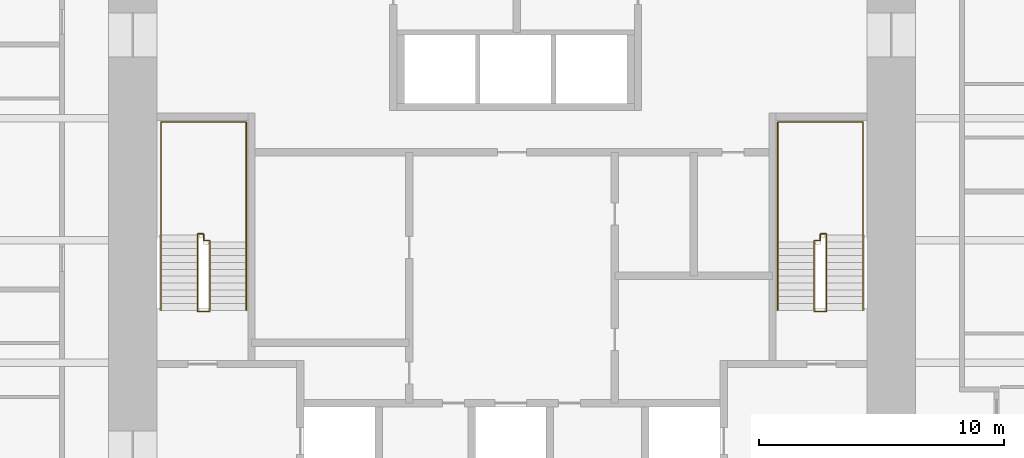
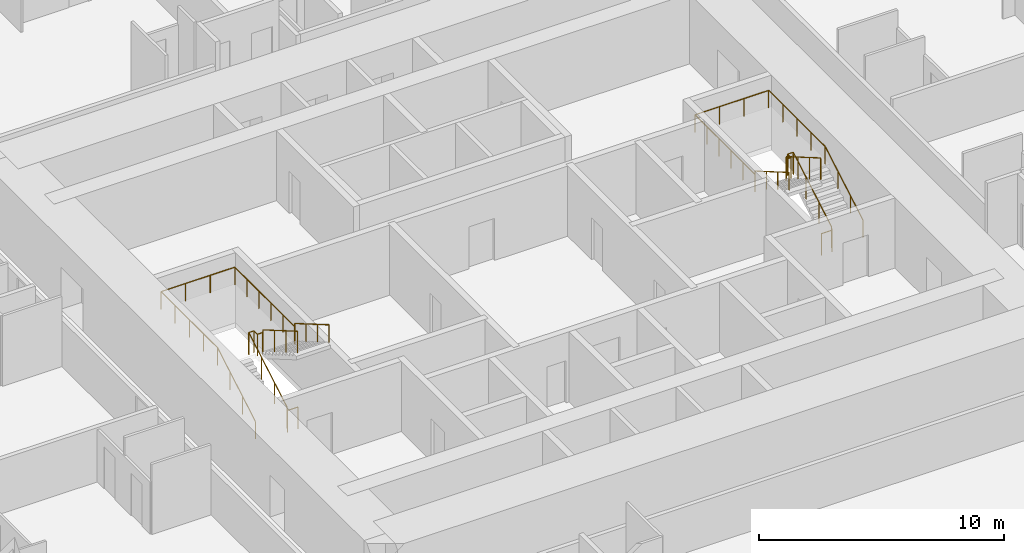
# One storey, part 17 of 17: 4 railings.
"""IFC4 building model written with IfcOpenShell, lengths in metres."""

import ifcopenshell
import ifcopenshell.guid

model = None  # the IFC model being written
_history = None  # IfcOwnerHistory: only IFC2X3 demands one
_inside = {}  # id of a spatial element -> (the spatial element, [elements in it])
_under = {}  # id of a project, library or spatial element -> (it, [spatial elements below it])
_declared = {}  # id of a project -> (the project, [libraries it declares])
_typed = {}  # id of a type object -> (the type object, [elements of that type])
_made_of = {}  # id of a material, layer set ... -> (it, [elements and type objects made of it])


def new_model(schema):
    """Start an empty IFC model of exactly this schema.

    Asked for "IFC4X3", IfcOpenShell would pick the latest addendum, in which some entities
    have other attributes; the version numbers below select the first issue.
    IFC2X3 requires an IfcOwnerHistory on every rooted entity: one is made here for all.
    """
    global model, _history
    if schema == "IFC4X3":
        model = ifcopenshell.file(schema_version=(4, 3, 0, 0))
    else:
        model = ifcopenshell.file(schema=schema)
    _inside.clear()
    _under.clear()
    _declared.clear()
    _typed.clear()
    _made_of.clear()
    _history = None
    if model.schema == "IFC2X3":
        org = make("IfcOrganization", Name="unknown")
        user = make(
            "IfcPersonAndOrganization",
            ThePerson=make("IfcPerson", FamilyName="unknown"),
            TheOrganization=org,
        )
        app = make(
            "IfcApplication",
            ApplicationDeveloper=org,
            Version="unknown",
            ApplicationFullName="unknown",
            ApplicationIdentifier="unknown",
        )
        _history = make(
            "IfcOwnerHistory",
            OwningUser=user,
            OwningApplication=app,
            ChangeAction="ADDED",
            CreationDate=0,
        )
    return model


def make(cls, **values):
    """One entity of the class cls with the attributes given. An attribute that is None is left unset."""
    return model.create_entity(
        cls, **{name: value for name, value in values.items() if value is not None}
    )


def rooted(cls, **values):
    """An entity with a GlobalId (a new one), such as an element, a storey or a relation."""
    return make(cls, GlobalId=ifcopenshell.guid.new(), OwnerHistory=_history, **values)


def si_unit(unit_type, name, prefix=None):
    """IfcSIUnit, for example si_unit("LENGTHUNIT", "METRE", prefix="MILLI")."""
    return make("IfcSIUnit", UnitType=unit_type, Prefix=prefix, Name=name)


def assignment(units):
    """IfcUnitAssignment: the units of a project."""
    return None if units is None else make("IfcUnitAssignment", Units=units)


def point(xyz):
    """IfcCartesianPoint."""
    return None if xyz is None else make("IfcCartesianPoint", Coordinates=xyz)


def direction(xyz):
    """IfcDirection."""
    return None if xyz is None else make("IfcDirection", DirectionRatios=xyz)


def frame(location, z_axis=None, x_axis=None):
    """IfcAxis2Placement3D, a coordinate frame: its origin and axes. An axis left out is left unset."""
    return make(
        "IfcAxis2Placement3D",
        Location=point(location),
        Axis=direction(z_axis),
        RefDirection=direction(x_axis),
    )


def frame_2d(location, x_axis=None):
    """IfcAxis2Placement2D, a coordinate frame in the plane: its origin and x axis."""
    return make(
        "IfcAxis2Placement2D", Location=point(location), RefDirection=direction(x_axis)
    )


def origin():
    """The frame at (0, 0, 0) with its axes left unset."""
    return frame((0.0, 0.0, 0.0))


def origin_2d():
    """The frame at (0, 0) in the plane with its x axis left unset."""
    return frame_2d((0.0, 0.0))


def place(relative_to, where):
    """IfcLocalPlacement: puts the frame where relative to a parent placement (None: the world)."""
    return make(
        "IfcLocalPlacement", PlacementRelTo=relative_to, RelativePlacement=where
    )


def context(
    kind, dimensions, precision=None, world=None, true_north=None, identifier=None
):
    """IfcGeometricRepresentationContext, for example the 3D "Model" context."""
    return make(
        "IfcGeometricRepresentationContext",
        ContextIdentifier=identifier,
        ContextType=kind,
        CoordinateSpaceDimension=dimensions,
        Precision=precision,
        WorldCoordinateSystem=world,
        TrueNorth=true_north,
    )


def subcontext(parent, identifier, kind, view, scale=None):
    """IfcGeometricRepresentationSubContext, for example "Body" below "Model"."""
    return make(
        "IfcGeometricRepresentationSubContext",
        ContextIdentifier=identifier,
        ContextType=kind,
        ParentContext=parent,
        TargetScale=scale,
        TargetView=view,
    )


def project(units=None, contexts=None):
    """IfcProject with its units and contexts."""
    return rooted(
        "IfcProject",
        Name="project",
        RepresentationContexts=contexts,
        UnitsInContext=assignment(units),
    )


def spatial(cls, under=None, at=None, **own):
    """A site, building, storey or space (cls), placed at a placement, below another one or the project."""
    s = rooted(cls, ObjectPlacement=at, **own)
    if under is not None:
        _under.setdefault(under.id(), (under, []))[1].append(s)
    return s


def profile(cls, at=None, kind="AREA", **sizes):
    """A parametric profile (cls). Its sizes go by their IFC names, for example OverallWidth=200.0."""
    return make(cls, ProfileType=kind, Position=at, **sizes)


def circle(**sizes):
    """IfcCircleProfileDef."""
    return profile("IfcCircleProfileDef", **sizes)


def extrude(swept, where, along, depth):
    """IfcExtrudedAreaSolid: the profile swept, set in the frame where, extruded along a direction by depth."""
    return make(
        "IfcExtrudedAreaSolid",
        SweptArea=swept,
        Position=where,
        ExtrudedDirection=direction(along),
        Depth=depth,
    )


def shape(context_of_items, identifier, shape_type, items):
    """IfcShapeRepresentation: the items that make up one representation, for example the "Body"."""
    return make(
        "IfcShapeRepresentation",
        ContextOfItems=context_of_items,
        RepresentationIdentifier=identifier,
        RepresentationType=shape_type,
        Items=items,
    )


def material(Name=None, Category=None):
    """IfcMaterial."""
    return make("IfcMaterial", Name=Name, Category=Category)


def made_of(thing, what):
    """Note that an element or type object is made of a material, layer set ...; save() writes the relation."""
    if what is not None:
        _made_of.setdefault(what.id(), (what, []))[1].append(thing)
    return thing


def type_object(cls, material=None, **own):
    """A type object (cls), such as IfcWallType, which elements share."""
    return made_of(rooted(cls, **own), material)


def element(
    cls,
    number,
    at=None,
    inside=None,
    cuts=None,
    type_object=None,
    material=None,
    context=None,
    identifier="Body",
    shape_type=None,
    held_by="IfcProductDefinitionShape",
    body=None,
    shapes=None,
    **own,
):
    """One element of the class cls, such as IfcWall. Its Tag is "e" and its number.

    at: its placement. inside: the storey or other place that contains it. cuts: it is an
    opening in that element (IfcRelVoidsElement). A single representation is given by context,
    identifier, shape_type and body (its items); several are given by shapes. held_by: the class
    of the entity that holds the representations. save() writes the other relations.
    """
    e = rooted(cls, Tag="e%d" % number, ObjectPlacement=at, **own)
    if body is not None:
        shapes = [shape(context, identifier, shape_type, body)]
    if shapes is not None:
        e.Representation = make(held_by, Representations=shapes)
    if inside is not None:
        _inside.setdefault(inside.id(), (inside, []))[1].append(e)
    if cuts is not None:
        rooted(
            "IfcRelVoidsElement", RelatingBuildingElement=cuts, RelatedOpeningElement=e
        )
    if type_object is not None:
        _typed.setdefault(type_object.id(), (type_object, []))[1].append(e)
    return made_of(e, material)


def aggregate(whole, parts):
    """IfcRelAggregates: a whole, such as a stair, and the parts it consists of."""
    return rooted("IfcRelAggregates", RelatingObject=whole, RelatedObjects=parts)


def save(model, path):
    """Write the relations noted so far, then the file.

    IfcRelAggregates (storeys below a building ...), IfcRelContainedInSpatialStructure (elements
    in a storey), IfcRelDefinesByType, IfcRelAssociatesMaterial and IfcRelDeclares: one each for
    every whole, place, type object, material and project.
    """
    for whole, parts in _under.values():
        aggregate(whole, parts)
    for where, things in _inside.values():
        rooted(
            "IfcRelContainedInSpatialStructure",
            RelatedElements=things,
            RelatingStructure=where,
        )
    for kind, things in _typed.values():
        rooted("IfcRelDefinesByType", RelatedObjects=things, RelatingType=kind)
    for what, things in _made_of.values():
        rooted("IfcRelAssociatesMaterial", RelatedObjects=things, RelatingMaterial=what)
    for by, libraries in _declared.values():
        rooted("IfcRelDeclares", RelatingContext=by, RelatedDefinitions=libraries)
    model.write(path)


model = new_model("IFC4")

# Units and contexts
model_context = context("Model", 3, precision=1e-05, world=origin(), true_north=direction((0.0, 1.0)))
body_context = subcontext(model_context, "Body", "Model", "MODEL_VIEW")
ifc_project = project(units=[si_unit("LENGTHUNIT", "METRE"), si_unit("AREAUNIT", "SQUARE_METRE"), si_unit("VOLUMEUNIT", "CUBIC_METRE"), si_unit("PLANEANGLEUNIT", "RADIAN"), si_unit("MASSUNIT", "GRAM", prefix="KILO")], contexts=[model_context])

# Site, building, storey
site_placement = place(None, origin())
site = spatial("IfcSite", under=ifc_project, at=site_placement, CompositionType="ELEMENT")
building_placement = place(site_placement, origin())
building = spatial("IfcBuilding", under=site, at=building_placement, Name="Khuree Lantern Residences", CompositionType="ELEMENT")
storey_placement = place(building_placement, frame((0.0, 0.0, 47.25)))
storey = spatial("IfcBuildingStorey", under=building, at=storey_placement, Name="L11", CompositionType="ELEMENT", Elevation=47.25)

# Railings
ifc_material = material(Name="Steel S355", Category="steel")
railing_type_1 = type_object("IfcRailingType", Name="STAIR GUARD G1 1100", PredefinedType="GUARDRAIL", material=ifc_material)
railing_1_placement = place(storey_placement, frame((-12.35009765625, -2.909912109375, 0.0)))
element("IfcRailing", 1, at=railing_1_placement, inside=storey, type_object=railing_type_1, Name="Stair ST1 guard", PredefinedType="GUARDRAIL", context=body_context, shape_type="SweptSolid", body=[
    extrude(circle(Radius=0.02392578125, at=origin_2d()), frame((0.0, 0.0, 1.076171875), z_axis=(-1.0, 0.0, 0.0), x_axis=(0.0, -1.0, 0.0)), (0.0, 0.0, 1.0), 0.5),
    extrude(circle(Radius=0.02392578125, at=origin_2d()), frame((-0.5, 0.0, 1.076171875), z_axis=(0.0, 0.292073035251, 0.95639601739), x_axis=(-1.0, 0.0, 0.0)), (0.0, 0.0, 1.0), 0.17041015625),
    extrude(circle(Radius=0.02392578125, at=origin_2d()), frame((-0.5, 0.0498046875, 1.2392578125), z_axis=(0.0, 0.864176135923, 0.503189433615), x_axis=(-1.0, 0.0, 0.0)), (0.0, 0.0, 1.0), 3.564208984375),
    extrude(circle(Radius=0.02392578125, at=origin_2d()), frame((-0.5, 3.1298828125, 3.03271484375), z_axis=(0.0, 1.0, 0.0), x_axis=(-1.0, 0.0, 0.0)), (0.0, 0.0, 1.0), 0.050048828125),
    extrude(circle(Radius=0.02392578125, at=origin_2d()), frame((-0.5, 3.179931640625, 3.03271484375), z_axis=(1.0, 0.0, 0.0), x_axis=(0.0, 1.0, 0.0)), (0.0, 0.0, 1.0), 0.25),
    extrude(circle(Radius=0.02392578125, at=origin_2d()), frame((-0.25, 3.179931640625, 3.03271484375), z_axis=(0.0, -1.0, 0.0), x_axis=(1.0, 0.0, 0.0)), (0.0, 0.0, 1.0), 0.280029296875),
    extrude(circle(Radius=0.02392578125, at=origin_2d()), frame((-0.25, 2.89990234375, 3.03271484375), z_axis=(1.0, 0.0, 0.0), x_axis=(0.0, 1.0, 0.0)), (0.0, 0.0, 1.0), 0.25),
    extrude(circle(Radius=0.02392578125, at=origin_2d()), frame((0.0, 2.89990234375, 3.03271484375), z_axis=(0.0, -0.293381807449, 0.955995353053), x_axis=(1.0, 0.0, 0.0)), (0.0, 0.0, 1.0), 0.170654296875),
    extrude(circle(Radius=0.02392578125, at=origin_2d()), frame((0.0, 2.849853515625, 3.19580078125), z_axis=(0.0, -0.864180358799, 0.503182181189), x_axis=(1.0, 0.0, 0.0)), (0.0, 0.0, 1.0), 3.240234375),
    extrude(circle(Radius=0.02099609375, at=origin_2d()), origin(), (0.0, 0.0, 1.0), 1.052001953125),
    extrude(circle(Radius=0.02099609375, at=origin_2d()), frame((-0.5, 0.0, 0.0)), (0.0, 0.0, 1.0), 1.052001953125),
    extrude(circle(Radius=0.02099609375, at=origin_2d()), frame((-0.5, 0.0498046875, 0.1630859375)), (0.0, 0.0, 1.0), 1.052001953125),
    extrude(circle(Radius=0.02099609375, at=origin_2d()), frame((-0.5, 1.076416015625, 0.760986328125)), (0.0, 0.0, 1.0), 1.052001953125),
    extrude(circle(Radius=0.02099609375, at=origin_2d()), frame((-0.5, 2.103271484375, 1.358642578125)), (0.0, 0.0, 1.0), 1.052001953125),
    extrude(circle(Radius=0.02099609375, at=origin_2d()), frame((-0.5, 3.1298828125, 1.95654296875)), (0.0, 0.0, 1.0), 1.052001953125),
    extrude(circle(Radius=0.02099609375, at=origin_2d()), frame((-0.5, 3.179931640625, 1.95654296875)), (0.0, 0.0, 1.0), 1.052001953125),
    extrude(circle(Radius=0.02099609375, at=origin_2d()), frame((-0.25, 3.179931640625, 1.95654296875)), (0.0, 0.0, 1.0), 1.052001953125),
    extrude(circle(Radius=0.02099609375, at=origin_2d()), frame((-0.25, 2.89990234375, 1.95654296875)), (0.0, 0.0, 1.0), 1.052001953125),
    extrude(circle(Radius=0.02099609375, at=origin_2d()), frame((0.0, 2.89990234375, 1.95654296875)), (0.0, 0.0, 1.0), 1.052001953125),
    extrude(circle(Radius=0.02099609375, at=origin_2d()), frame((0.0, 2.849853515625, 2.11962890625)), (0.0, 0.0, 1.0), 1.052001953125),
    extrude(circle(Radius=0.02099609375, at=origin_2d()), frame((0.0, 1.91650390625, 2.6630859375)), (0.0, 0.0, 1.0), 1.052001953125),
    extrude(circle(Radius=0.02099609375, at=origin_2d()), frame((0.0, 0.983154296875, 3.20654296875)), (0.0, 0.0, 1.0), 1.052001953125),
    extrude(circle(Radius=0.02099609375, at=origin_2d()), frame((0.0, 0.0498046875, 3.75)), (0.0, 0.0, 1.0), 1.052001953125),
])
railing_2_placement = place(storey_placement, frame((12.35009765625, -2.909912109375, 0.0)))
element("IfcRailing", 2, at=railing_2_placement, inside=storey, type_object=railing_type_1, Name="Stair ST2 guard", PredefinedType="GUARDRAIL", context=body_context, shape_type="SweptSolid", body=[
    extrude(circle(Radius=0.02392578125, at=origin_2d()), frame((0.0, 0.0, 1.076171875), z_axis=(1.0, 0.0, 0.0), x_axis=(0.0, 1.0, 0.0)), (0.0, 0.0, 1.0), 0.5),
    extrude(circle(Radius=0.02392578125, at=origin_2d()), frame((0.5, 0.0, 1.076171875), z_axis=(0.0, 0.292073035251, 0.95639601739), x_axis=(-1.0, 0.0, 0.0)), (0.0, 0.0, 1.0), 0.17041015625),
    extrude(circle(Radius=0.02392578125, at=origin_2d()), frame((0.5, 0.0498046875, 1.2392578125), z_axis=(0.0, 0.864176135923, 0.503189433615), x_axis=(-1.0, 0.0, 0.0)), (0.0, 0.0, 1.0), 3.564208984375),
    extrude(circle(Radius=0.02392578125, at=origin_2d()), frame((0.5, 3.1298828125, 3.03271484375), z_axis=(0.0, 1.0, 0.0), x_axis=(-1.0, 0.0, 0.0)), (0.0, 0.0, 1.0), 0.050048828125),
    extrude(circle(Radius=0.02392578125, at=origin_2d()), frame((0.5, 3.179931640625, 3.03271484375), z_axis=(-1.0, 0.0, 0.0), x_axis=(0.0, -1.0, 0.0)), (0.0, 0.0, 1.0), 0.25),
    extrude(circle(Radius=0.02392578125, at=origin_2d()), frame((0.25, 3.179931640625, 3.03271484375), z_axis=(0.0, -1.0, 0.0), x_axis=(1.0, 0.0, 0.0)), (0.0, 0.0, 1.0), 0.280029296875),
    extrude(circle(Radius=0.02392578125, at=origin_2d()), frame((0.25, 2.89990234375, 3.03271484375), z_axis=(-1.0, 0.0, 0.0), x_axis=(0.0, -1.0, 0.0)), (0.0, 0.0, 1.0), 0.25),
    extrude(circle(Radius=0.02392578125, at=origin_2d()), frame((0.0, 2.89990234375, 3.03271484375), z_axis=(0.0, -0.293381807449, 0.955995353053), x_axis=(1.0, 0.0, 0.0)), (0.0, 0.0, 1.0), 0.170654296875),
    extrude(circle(Radius=0.02392578125, at=origin_2d()), frame((0.0, 2.849853515625, 3.19580078125), z_axis=(0.0, -0.864180358799, 0.503182181189), x_axis=(1.0, 0.0, 0.0)), (0.0, 0.0, 1.0), 3.240234375),
    extrude(circle(Radius=0.02099609375, at=origin_2d()), origin(), (0.0, 0.0, 1.0), 1.052001953125),
    extrude(circle(Radius=0.02099609375, at=origin_2d()), frame((0.5, 0.0, 0.0)), (0.0, 0.0, 1.0), 1.052001953125),
    extrude(circle(Radius=0.02099609375, at=origin_2d()), frame((0.5, 0.0498046875, 0.1630859375)), (0.0, 0.0, 1.0), 1.052001953125),
    extrude(circle(Radius=0.02099609375, at=origin_2d()), frame((0.5, 1.076416015625, 0.760986328125)), (0.0, 0.0, 1.0), 1.052001953125),
    extrude(circle(Radius=0.02099609375, at=origin_2d()), frame((0.5, 2.103271484375, 1.358642578125)), (0.0, 0.0, 1.0), 1.052001953125),
    extrude(circle(Radius=0.02099609375, at=origin_2d()), frame((0.5, 3.1298828125, 1.95654296875)), (0.0, 0.0, 1.0), 1.052001953125),
    extrude(circle(Radius=0.02099609375, at=origin_2d()), frame((0.5, 3.179931640625, 1.95654296875)), (0.0, 0.0, 1.0), 1.052001953125),
    extrude(circle(Radius=0.02099609375, at=origin_2d()), frame((0.25, 3.179931640625, 1.95654296875)), (0.0, 0.0, 1.0), 1.052001953125),
    extrude(circle(Radius=0.02099609375, at=origin_2d()), frame((0.25, 2.89990234375, 1.95654296875)), (0.0, 0.0, 1.0), 1.052001953125),
    extrude(circle(Radius=0.02099609375, at=origin_2d()), frame((0.0, 2.89990234375, 1.95654296875)), (0.0, 0.0, 1.0), 1.052001953125),
    extrude(circle(Radius=0.02099609375, at=origin_2d()), frame((0.0, 2.849853515625, 2.11962890625)), (0.0, 0.0, 1.0), 1.052001953125),
    extrude(circle(Radius=0.02099609375, at=origin_2d()), frame((0.0, 1.91650390625, 2.6630859375)), (0.0, 0.0, 1.0), 1.052001953125),
    extrude(circle(Radius=0.02099609375, at=origin_2d()), frame((0.0, 0.983154296875, 3.20654296875)), (0.0, 0.0, 1.0), 1.052001953125),
    extrude(circle(Radius=0.02099609375, at=origin_2d()), frame((0.0, 0.0498046875, 3.75)), (0.0, 0.0, 1.0), 1.052001953125),
])
railing_type_2 = type_object("IfcRailingType", Name="STAIR HANDRAIL H1 900", PredefinedType="HANDRAIL", material=ifc_material)
railing_3_placement = place(storey_placement, frame((-14.340087890625, -2.860107421875, 0.1630859375)))
element("IfcRailing", 3, at=railing_3_placement, inside=storey, type_object=railing_type_2, Name="Stair ST1 handrail", PredefinedType="HANDRAIL", context=body_context, shape_type="SweptSolid", body=[
    extrude(circle(Radius=0.02392578125, at=origin_2d()), frame((0.0, 0.0, 0.8759765625), z_axis=(0.0, 0.864176135923, 0.503189433615), x_axis=(-1.0, 0.0, 0.0)), (0.0, 0.0, 1.0), 3.564208984375),
    extrude(circle(Radius=0.02392578125, at=origin_2d()), frame((0.0, 3.080078125, 2.66943359375), z_axis=(0.0, 1.0, 0.0), x_axis=(-1.0, 0.0, 0.0)), (0.0, 0.0, 1.0), 4.6201171875),
    extrude(circle(Radius=0.02392578125, at=origin_2d()), frame((0.0, 7.7001953125, 2.66943359375), z_axis=(1.0, 0.0, 0.0), x_axis=(0.0, 1.0, 0.0)), (0.0, 0.0, 1.0), 3.47998046875),
    extrude(circle(Radius=0.02392578125, at=origin_2d()), frame((3.47998046875, 7.7001953125, 2.66943359375), z_axis=(0.0, -1.0, 0.0), x_axis=(1.0, 0.0, 0.0)), (0.0, 0.0, 1.0), 4.900146484375),
    extrude(circle(Radius=0.02392578125, at=origin_2d()), frame((3.47998046875, 2.800048828125, 2.66943359375), z_axis=(0.0, 0.0, 1.0), x_axis=(1.0, 0.0, 0.0)), (0.0, 0.0, 1.0), 0.1630859375),
    extrude(circle(Radius=0.02392578125, at=origin_2d()), frame((3.47998046875, 2.800048828125, 2.83251953125), z_axis=(0.0, -0.864180358799, 0.503182181189), x_axis=(1.0, 0.0, 0.0)), (0.0, 0.0, 1.0), 3.240234375),
    extrude(circle(Radius=0.02099609375, at=origin_2d()), origin(), (0.0, 0.0, 1.0), 0.851806640625),
    extrude(circle(Radius=0.02099609375, at=origin_2d()), frame((0.0, 1.026611328125, 0.597900390625)), (0.0, 0.0, 1.0), 0.851806640625),
    extrude(circle(Radius=0.02099609375, at=origin_2d()), frame((0.0, 2.053466796875, 1.195556640625)), (0.0, 0.0, 1.0), 0.851806640625),
    extrude(circle(Radius=0.02099609375, at=origin_2d()), frame((0.0, 3.080078125, 1.79345703125)), (0.0, 0.0, 1.0), 0.851806640625),
    extrude(circle(Radius=0.02099609375, at=origin_2d()), frame((0.0, 4.235107421875, 1.79345703125)), (0.0, 0.0, 1.0), 0.851806640625),
    extrude(circle(Radius=0.02099609375, at=origin_2d()), frame((0.0, 5.39013671875, 1.79345703125)), (0.0, 0.0, 1.0), 0.851806640625),
    extrude(circle(Radius=0.02099609375, at=origin_2d()), frame((0.0, 6.545166015625, 1.79345703125)), (0.0, 0.0, 1.0), 0.851806640625),
    extrude(circle(Radius=0.02099609375, at=origin_2d()), frame((0.0, 7.7001953125, 1.79345703125)), (0.0, 0.0, 1.0), 0.851806640625),
    extrude(circle(Radius=0.02099609375, at=origin_2d()), frame((1.159912109375, 7.7001953125, 1.79345703125)), (0.0, 0.0, 1.0), 0.851806640625),
    extrude(circle(Radius=0.02099609375, at=origin_2d()), frame((2.320068359375, 7.7001953125, 1.79345703125)), (0.0, 0.0, 1.0), 0.851806640625),
    extrude(circle(Radius=0.02099609375, at=origin_2d()), frame((3.47998046875, 7.7001953125, 1.79345703125)), (0.0, 0.0, 1.0), 0.851806640625),
    extrude(circle(Radius=0.02099609375, at=origin_2d()), frame((3.47998046875, 6.72021484375, 1.79345703125)), (0.0, 0.0, 1.0), 0.851806640625),
    extrude(circle(Radius=0.02099609375, at=origin_2d()), frame((3.47998046875, 5.740234375, 1.79345703125)), (0.0, 0.0, 1.0), 0.851806640625),
    extrude(circle(Radius=0.02099609375, at=origin_2d()), frame((3.47998046875, 4.760009765625, 1.79345703125)), (0.0, 0.0, 1.0), 0.851806640625),
    extrude(circle(Radius=0.02099609375, at=origin_2d()), frame((3.47998046875, 3.780029296875, 1.79345703125)), (0.0, 0.0, 1.0), 0.851806640625),
    extrude(circle(Radius=0.02099609375, at=origin_2d()), frame((3.47998046875, 2.800048828125, 1.79345703125)), (0.0, 0.0, 1.0), 0.851806640625),
    extrude(circle(Radius=0.02099609375, at=origin_2d()), frame((3.47998046875, 2.800048828125, 1.95654296875)), (0.0, 0.0, 1.0), 0.851806640625),
    extrude(circle(Radius=0.02099609375, at=origin_2d()), frame((3.47998046875, 1.86669921875, 2.5)), (0.0, 0.0, 1.0), 0.851806640625),
    extrude(circle(Radius=0.02099609375, at=origin_2d()), frame((3.47998046875, 0.933349609375, 3.04345703125)), (0.0, 0.0, 1.0), 0.851806640625),
    extrude(circle(Radius=0.02099609375, at=origin_2d()), frame((3.47998046875, 0.0, 3.5869140625)), (0.0, 0.0, 1.0), 0.851806640625),
])
railing_4_placement = place(storey_placement, frame((14.340087890625, -2.860107421875, 0.1630859375)))
element("IfcRailing", 4, at=railing_4_placement, inside=storey, type_object=railing_type_2, Name="Stair ST2 handrail", PredefinedType="HANDRAIL", context=body_context, shape_type="SweptSolid", body=[
    extrude(circle(Radius=0.02392578125, at=origin_2d()), frame((0.0, 0.0, 0.8759765625), z_axis=(0.0, 0.864176135923, 0.503189433615), x_axis=(-1.0, 0.0, 0.0)), (0.0, 0.0, 1.0), 3.564208984375),
    extrude(circle(Radius=0.02392578125, at=origin_2d()), frame((0.0, 3.080078125, 2.66943359375), z_axis=(0.0, 1.0, 0.0), x_axis=(-1.0, 0.0, 0.0)), (0.0, 0.0, 1.0), 4.6201171875),
    extrude(circle(Radius=0.02392578125, at=origin_2d()), frame((0.0, 7.7001953125, 2.66943359375), z_axis=(-1.0, 0.0, 0.0), x_axis=(0.0, -1.0, 0.0)), (0.0, 0.0, 1.0), 3.47998046875),
    extrude(circle(Radius=0.02392578125, at=origin_2d()), frame((-3.47998046875, 7.7001953125, 2.66943359375), z_axis=(0.0, -1.0, 0.0), x_axis=(1.0, 0.0, 0.0)), (0.0, 0.0, 1.0), 4.900146484375),
    extrude(circle(Radius=0.02392578125, at=origin_2d()), frame((-3.47998046875, 2.800048828125, 2.66943359375), z_axis=(0.0, 0.0, 1.0), x_axis=(1.0, 0.0, 0.0)), (0.0, 0.0, 1.0), 0.1630859375),
    extrude(circle(Radius=0.02392578125, at=origin_2d()), frame((-3.47998046875, 2.800048828125, 2.83251953125), z_axis=(0.0, -0.864180358799, 0.503182181189), x_axis=(1.0, 0.0, 0.0)), (0.0, 0.0, 1.0), 3.240234375),
    extrude(circle(Radius=0.02099609375, at=origin_2d()), origin(), (0.0, 0.0, 1.0), 0.851806640625),
    extrude(circle(Radius=0.02099609375, at=origin_2d()), frame((0.0, 1.026611328125, 0.597900390625)), (0.0, 0.0, 1.0), 0.851806640625),
    extrude(circle(Radius=0.02099609375, at=origin_2d()), frame((0.0, 2.053466796875, 1.195556640625)), (0.0, 0.0, 1.0), 0.851806640625),
    extrude(circle(Radius=0.02099609375, at=origin_2d()), frame((0.0, 3.080078125, 1.79345703125)), (0.0, 0.0, 1.0), 0.851806640625),
    extrude(circle(Radius=0.02099609375, at=origin_2d()), frame((0.0, 4.235107421875, 1.79345703125)), (0.0, 0.0, 1.0), 0.851806640625),
    extrude(circle(Radius=0.02099609375, at=origin_2d()), frame((0.0, 5.39013671875, 1.79345703125)), (0.0, 0.0, 1.0), 0.851806640625),
    extrude(circle(Radius=0.02099609375, at=origin_2d()), frame((0.0, 6.545166015625, 1.79345703125)), (0.0, 0.0, 1.0), 0.851806640625),
    extrude(circle(Radius=0.02099609375, at=origin_2d()), frame((0.0, 7.7001953125, 1.79345703125)), (0.0, 0.0, 1.0), 0.851806640625),
    extrude(circle(Radius=0.02099609375, at=origin_2d()), frame((-1.159912109375, 7.7001953125, 1.79345703125)), (0.0, 0.0, 1.0), 0.851806640625),
    extrude(circle(Radius=0.02099609375, at=origin_2d()), frame((-2.320068359375, 7.7001953125, 1.79345703125)), (0.0, 0.0, 1.0), 0.851806640625),
    extrude(circle(Radius=0.02099609375, at=origin_2d()), frame((-3.47998046875, 7.7001953125, 1.79345703125)), (0.0, 0.0, 1.0), 0.851806640625),
    extrude(circle(Radius=0.02099609375, at=origin_2d()), frame((-3.47998046875, 6.72021484375, 1.79345703125)), (0.0, 0.0, 1.0), 0.851806640625),
    extrude(circle(Radius=0.02099609375, at=origin_2d()), frame((-3.47998046875, 5.740234375, 1.79345703125)), (0.0, 0.0, 1.0), 0.851806640625),
    extrude(circle(Radius=0.02099609375, at=origin_2d()), frame((-3.47998046875, 4.760009765625, 1.79345703125)), (0.0, 0.0, 1.0), 0.851806640625),
    extrude(circle(Radius=0.02099609375, at=origin_2d()), frame((-3.47998046875, 3.780029296875, 1.79345703125)), (0.0, 0.0, 1.0), 0.851806640625),
    extrude(circle(Radius=0.02099609375, at=origin_2d()), frame((-3.47998046875, 2.800048828125, 1.79345703125)), (0.0, 0.0, 1.0), 0.851806640625),
    extrude(circle(Radius=0.02099609375, at=origin_2d()), frame((-3.47998046875, 2.800048828125, 1.95654296875)), (0.0, 0.0, 1.0), 0.851806640625),
    extrude(circle(Radius=0.02099609375, at=origin_2d()), frame((-3.47998046875, 1.86669921875, 2.5)), (0.0, 0.0, 1.0), 0.851806640625),
    extrude(circle(Radius=0.02099609375, at=origin_2d()), frame((-3.47998046875, 0.933349609375, 3.04345703125)), (0.0, 0.0, 1.0), 0.851806640625),
    extrude(circle(Radius=0.02099609375, at=origin_2d()), frame((-3.47998046875, 0.0, 3.5869140625)), (0.0, 0.0, 1.0), 0.851806640625),
])

save(model, "model.ifc")
